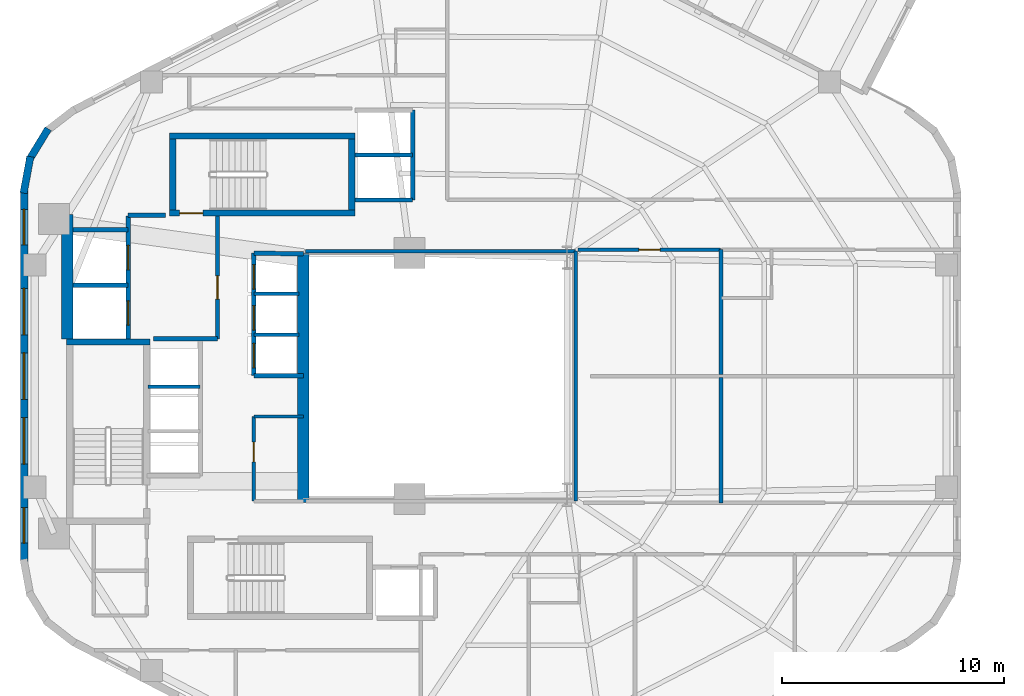
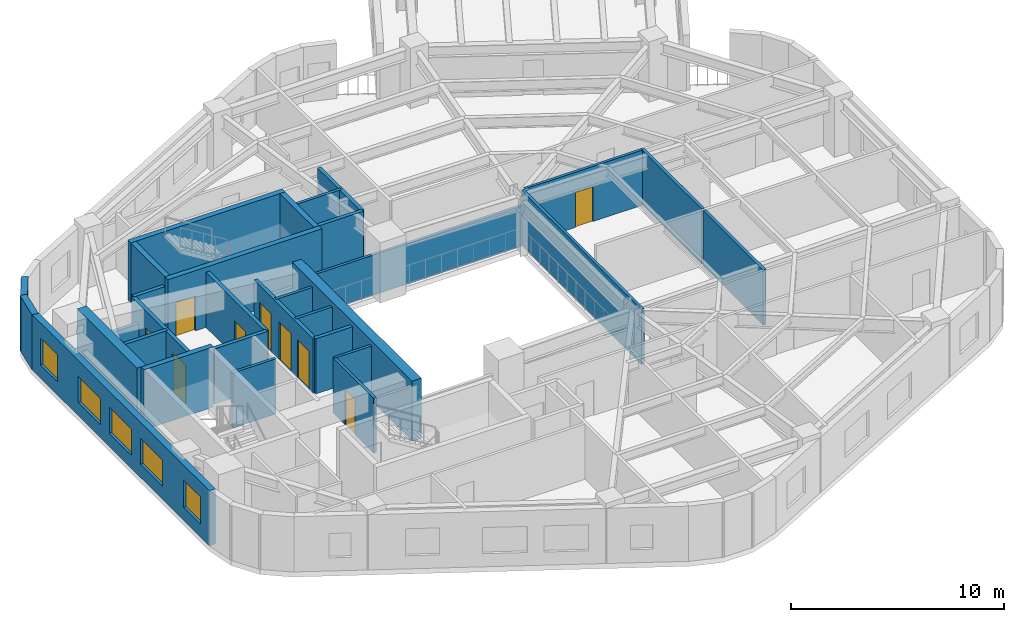
# One storey, part 6 of 10: 32 walls, 9 doors, 5 windows, 14 openings.
"""IFC4 building model written with IfcOpenShell, lengths in metres."""

import ifcopenshell
import ifcopenshell.guid

model = None  # the IFC model being written
_history = None  # IfcOwnerHistory: only IFC2X3 demands one
_inside = {}  # id of a spatial element -> (the spatial element, [elements in it])
_under = {}  # id of a project, library or spatial element -> (it, [spatial elements below it])
_declared = {}  # id of a project -> (the project, [libraries it declares])
_typed = {}  # id of a type object -> (the type object, [elements of that type])
_made_of = {}  # id of a material, layer set ... -> (it, [elements and type objects made of it])


def new_model(schema):
    """Start an empty IFC model of exactly this schema.

    Asked for "IFC4X3", IfcOpenShell would pick the latest addendum, in which some entities
    have other attributes; the version numbers below select the first issue.
    IFC2X3 requires an IfcOwnerHistory on every rooted entity: one is made here for all.
    """
    global model, _history
    if schema == "IFC4X3":
        model = ifcopenshell.file(schema_version=(4, 3, 0, 0))
    else:
        model = ifcopenshell.file(schema=schema)
    _inside.clear()
    _under.clear()
    _declared.clear()
    _typed.clear()
    _made_of.clear()
    _history = None
    if model.schema == "IFC2X3":
        org = make("IfcOrganization", Name="unknown")
        user = make(
            "IfcPersonAndOrganization",
            ThePerson=make("IfcPerson", FamilyName="unknown"),
            TheOrganization=org,
        )
        app = make(
            "IfcApplication",
            ApplicationDeveloper=org,
            Version="unknown",
            ApplicationFullName="unknown",
            ApplicationIdentifier="unknown",
        )
        _history = make(
            "IfcOwnerHistory",
            OwningUser=user,
            OwningApplication=app,
            ChangeAction="ADDED",
            CreationDate=0,
        )
    return model


def make(cls, **values):
    """One entity of the class cls with the attributes given. An attribute that is None is left unset."""
    return model.create_entity(
        cls, **{name: value for name, value in values.items() if value is not None}
    )


def rooted(cls, **values):
    """An entity with a GlobalId (a new one), such as an element, a storey or a relation."""
    return make(cls, GlobalId=ifcopenshell.guid.new(), OwnerHistory=_history, **values)


def si_unit(unit_type, name, prefix=None):
    """IfcSIUnit, for example si_unit("LENGTHUNIT", "METRE", prefix="MILLI")."""
    return make("IfcSIUnit", UnitType=unit_type, Prefix=prefix, Name=name)


def assignment(units):
    """IfcUnitAssignment: the units of a project."""
    return None if units is None else make("IfcUnitAssignment", Units=units)


def point(xyz):
    """IfcCartesianPoint."""
    return None if xyz is None else make("IfcCartesianPoint", Coordinates=xyz)


def direction(xyz):
    """IfcDirection."""
    return None if xyz is None else make("IfcDirection", DirectionRatios=xyz)


def frame(location, z_axis=None, x_axis=None):
    """IfcAxis2Placement3D, a coordinate frame: its origin and axes. An axis left out is left unset."""
    return make(
        "IfcAxis2Placement3D",
        Location=point(location),
        Axis=direction(z_axis),
        RefDirection=direction(x_axis),
    )


def frame_2d(location, x_axis=None):
    """IfcAxis2Placement2D, a coordinate frame in the plane: its origin and x axis."""
    return make(
        "IfcAxis2Placement2D", Location=point(location), RefDirection=direction(x_axis)
    )


def origin():
    """The frame at (0, 0, 0) with its axes left unset."""
    return frame((0.0, 0.0, 0.0))


def place(relative_to, where):
    """IfcLocalPlacement: puts the frame where relative to a parent placement (None: the world)."""
    return make(
        "IfcLocalPlacement", PlacementRelTo=relative_to, RelativePlacement=where
    )


def context(
    kind, dimensions, precision=None, world=None, true_north=None, identifier=None
):
    """IfcGeometricRepresentationContext, for example the 3D "Model" context."""
    return make(
        "IfcGeometricRepresentationContext",
        ContextIdentifier=identifier,
        ContextType=kind,
        CoordinateSpaceDimension=dimensions,
        Precision=precision,
        WorldCoordinateSystem=world,
        TrueNorth=true_north,
    )


def subcontext(parent, identifier, kind, view, scale=None):
    """IfcGeometricRepresentationSubContext, for example "Body" below "Model"."""
    return make(
        "IfcGeometricRepresentationSubContext",
        ContextIdentifier=identifier,
        ContextType=kind,
        ParentContext=parent,
        TargetScale=scale,
        TargetView=view,
    )


def project(units=None, contexts=None):
    """IfcProject with its units and contexts."""
    return rooted(
        "IfcProject",
        Name="project",
        RepresentationContexts=contexts,
        UnitsInContext=assignment(units),
    )


def spatial(cls, under=None, at=None, **own):
    """A site, building, storey or space (cls), placed at a placement, below another one or the project."""
    s = rooted(cls, ObjectPlacement=at, **own)
    if under is not None:
        _under.setdefault(under.id(), (under, []))[1].append(s)
    return s


def profile(cls, at=None, kind="AREA", **sizes):
    """A parametric profile (cls). Its sizes go by their IFC names, for example OverallWidth=200.0."""
    return make(cls, ProfileType=kind, Position=at, **sizes)


def rectangle(**sizes):
    """IfcRectangleProfileDef."""
    return profile("IfcRectangleProfileDef", **sizes)


def extrude(swept, where, along, depth):
    """IfcExtrudedAreaSolid: the profile swept, set in the frame where, extruded along a direction by depth."""
    return make(
        "IfcExtrudedAreaSolid",
        SweptArea=swept,
        Position=where,
        ExtrudedDirection=direction(along),
        Depth=depth,
    )


def shape(context_of_items, identifier, shape_type, items):
    """IfcShapeRepresentation: the items that make up one representation, for example the "Body"."""
    return make(
        "IfcShapeRepresentation",
        ContextOfItems=context_of_items,
        RepresentationIdentifier=identifier,
        RepresentationType=shape_type,
        Items=items,
    )


def material(Name=None, Category=None):
    """IfcMaterial."""
    return make("IfcMaterial", Name=Name, Category=Category)


def layer(
    of_material, thickness, ventilated=None, Name=None, Category=None, Priority=None
):
    """IfcMaterialLayer: one layer of a wall or slab, of a material (None: an air gap)."""
    return make(
        "IfcMaterialLayer",
        Material=of_material,
        LayerThickness=thickness,
        IsVentilated=ventilated,
        Name=Name,
        Category=Category,
        Priority=Priority,
    )


def layer_set(layers, Name=None):
    """IfcMaterialLayerSet."""
    return make("IfcMaterialLayerSet", MaterialLayers=layers, LayerSetName=Name)


def made_of(thing, what):
    """Note that an element or type object is made of a material, layer set ...; save() writes the relation."""
    if what is not None:
        _made_of.setdefault(what.id(), (what, []))[1].append(thing)
    return thing


def type_object(cls, material=None, **own):
    """A type object (cls), such as IfcWallType, which elements share."""
    return made_of(rooted(cls, **own), material)


def element(
    cls,
    number,
    at=None,
    inside=None,
    cuts=None,
    type_object=None,
    material=None,
    context=None,
    identifier="Body",
    shape_type=None,
    held_by="IfcProductDefinitionShape",
    body=None,
    shapes=None,
    **own,
):
    """One element of the class cls, such as IfcWall. Its Tag is "e" and its number.

    at: its placement. inside: the storey or other place that contains it. cuts: it is an
    opening in that element (IfcRelVoidsElement). A single representation is given by context,
    identifier, shape_type and body (its items); several are given by shapes. held_by: the class
    of the entity that holds the representations. save() writes the other relations.
    """
    e = rooted(cls, Tag="e%d" % number, ObjectPlacement=at, **own)
    if body is not None:
        shapes = [shape(context, identifier, shape_type, body)]
    if shapes is not None:
        e.Representation = make(held_by, Representations=shapes)
    if inside is not None:
        _inside.setdefault(inside.id(), (inside, []))[1].append(e)
    if cuts is not None:
        rooted(
            "IfcRelVoidsElement", RelatingBuildingElement=cuts, RelatedOpeningElement=e
        )
    if type_object is not None:
        _typed.setdefault(type_object.id(), (type_object, []))[1].append(e)
    return made_of(e, material)


def fill(opening, filler):
    """IfcRelFillsElement: the door or window that sits in an opening."""
    return rooted(
        "IfcRelFillsElement",
        RelatingOpeningElement=opening,
        RelatedBuildingElement=filler,
    )


def aggregate(whole, parts):
    """IfcRelAggregates: a whole, such as a stair, and the parts it consists of."""
    return rooted("IfcRelAggregates", RelatingObject=whole, RelatedObjects=parts)


def save(model, path):
    """Write the relations noted so far, then the file.

    IfcRelAggregates (storeys below a building ...), IfcRelContainedInSpatialStructure (elements
    in a storey), IfcRelDefinesByType, IfcRelAssociatesMaterial and IfcRelDeclares: one each for
    every whole, place, type object, material and project.
    """
    for whole, parts in _under.values():
        aggregate(whole, parts)
    for where, things in _inside.values():
        rooted(
            "IfcRelContainedInSpatialStructure",
            RelatedElements=things,
            RelatingStructure=where,
        )
    for kind, things in _typed.values():
        rooted("IfcRelDefinesByType", RelatedObjects=things, RelatingType=kind)
    for what, things in _made_of.values():
        rooted("IfcRelAssociatesMaterial", RelatedObjects=things, RelatingMaterial=what)
    for by, libraries in _declared.values():
        rooted("IfcRelDeclares", RelatingContext=by, RelatedDefinitions=libraries)
    model.write(path)


model = new_model("IFC4")

# Units and contexts
model_context = context("Model", 3, precision=1e-05, world=origin(), true_north=direction((0.0, 1.0)))
body_context = subcontext(model_context, "Body", "Model", "MODEL_VIEW")
ifc_project = project(units=[si_unit("LENGTHUNIT", "METRE"), si_unit("AREAUNIT", "SQUARE_METRE"), si_unit("VOLUMEUNIT", "CUBIC_METRE"), si_unit("PLANEANGLEUNIT", "RADIAN"), si_unit("MASSUNIT", "GRAM", prefix="KILO"), si_unit("THERMODYNAMICTEMPERATUREUNIT", "KELVIN"), si_unit("POWERUNIT", "WATT")], contexts=[model_context])

# Site, building, storey
site_placement = place(None, origin())
site = spatial("IfcSite", under=ifc_project, at=site_placement, CompositionType="ELEMENT")
building_placement = place(site_placement, origin())
building = spatial("IfcBuilding", under=site, at=building_placement, Name="Skarre Station Tower", CompositionType="ELEMENT")
storey_placement = place(building_placement, frame((0.0, 0.0, 111.89990234375)))
storey = spatial("IfcBuildingStorey", under=building, at=storey_placement, Name="L29", CompositionType="ELEMENT", Elevation=111.89990234375)

# Wall, opening, door
ifc_material_1 = material(Name="Acoustic Steel-Stud Gypsum Partition", Category="steel")
ifc_layer_1 = layer(ifc_material_1, 0.14990234375, Name="Acoustic Steel-Stud Gypsum Partition")
ifc_layer_set_1 = layer_set([ifc_layer_1], Name="Acoustic Steel-Stud Gypsum Partition")
wall_type_1 = type_object("IfcWallType", Name="Fire-Rated Corridor Acoustic Partition 150", PredefinedType="PARTITIONING", material=ifc_layer_set_1)
wall_1_placement = place(storey_placement, frame((25.320068359375, 22.179931640625, 0.0), z_axis=(0.0, 0.0, 1.0), x_axis=(0.0, -1.0, 0.0)))
wall_1 = element("IfcWall", 1, at=wall_1_placement, inside=storey, type_object=wall_type_1, Name="L29 Interior Partition WL-PT-L29-RC1-W", PredefinedType="PARTITIONING", context=body_context, shape_type="SweptSolid", body=[
    extrude(rectangle(XDim=3.81982421875, YDim=0.14990234375, at=frame_2d((1.909912109375, 0.0))), origin(), (0.0, 0.0, 1.0), 3.16015625),
])
opening_1_placement = place(wall_1_placement, frame((1.14990234375, 0.0, 0.0)))
opening_1 = element("IfcOpeningElement", 2, at=opening_1_placement, cuts=wall_1, Name="Opening DR-SVC90", PredefinedType="OPENING", context=body_context, shape_type="SweptSolid", body=[
    extrude(rectangle(XDim=0.89990234375, YDim=2.0, at=frame_2d((0.449951171875, 1.0))), frame((0.0, 0.0849609375, 0.0), z_axis=(0.0, -1.0, 0.0), x_axis=(1.0, 0.0, 0.0)), (0.0, 0.0, 1.0), 0.169921875),
])
ifc_material_2 = material(Name="Powder-Coated Hollow-Metal Acoustic Fire Leaf", Category="steel")
door_type_1 = type_object("IfcDoorType", Name="Service & Riser Fire Door FD60 900x2100", OperationType="SINGLE_SWING_LEFT", PredefinedType="DOOR", material=ifc_material_2)
door_1_placement = place(opening_1_placement, origin())
door_1 = element("IfcDoor", 3, at=door_1_placement, inside=storey, type_object=door_type_1, Name="L29 Staff Pantry Door", OperationType="SINGLE_SWING_LEFT", OverallHeight=2.0, OverallWidth=0.89990234375, PredefinedType="DOOR", context=body_context, shape_type="SweptSolid", body=[
    extrude(rectangle(XDim=0.89990234375, YDim=2.0, at=frame_2d((0.449951171875, 1.0))), frame((0.0, 0.02490234375, 0.0), z_axis=(0.0, -1.0, 0.0), x_axis=(1.0, 0.0, 0.0)), (0.0, 0.0, 1.0), 0.050048828125),
])
fill(opening_1, door_1)

# Walls
wall_2_placement = place(storey_placement, frame((25.320068359375, 22.179931640625, 0.0), z_axis=(0.0, 0.0, 1.0), x_axis=(1.0, 0.0, 0.0)))
element("IfcWall", 4, at=wall_2_placement, inside=storey, type_object=wall_type_1, Name="L29 Interior Partition WL-PT-L29-RC1-N2", PredefinedType="PARTITIONING", context=body_context, shape_type="SweptSolid", body=[
    extrude(rectangle(XDim=2.22998046875, YDim=0.14990234375, at=frame_2d((1.114990234375, 0.0))), origin(), (0.0, 0.0, 1.0), 3.16015625),
])
wall_3_placement = place(storey_placement, frame((39.840087890625, 29.639892578125, 0.0), z_axis=(0.0, 0.0, 1.0), x_axis=(-1.0, 0.0, 0.0)))
element("IfcWall", 5, at=wall_3_placement, inside=storey, type_object=wall_type_1, Name="L29 Interior Partition WL-PT-L29-ATRW-N", PredefinedType="PARTITIONING", context=body_context, shape_type="SweptSolid", body=[
    extrude(rectangle(XDim=12.2001953125, YDim=0.14990234375, at=frame_2d((6.10009765625, 0.0))), origin(), (0.0, 0.0, 1.0), 2.301025390625),
])
wall_4_placement = place(storey_placement, frame((39.840087890625, 18.360107421875, 0.0), z_axis=(0.0, 0.0, 1.0), x_axis=(0.0, 1.0, 0.0)))
element("IfcWall", 6, at=wall_4_placement, inside=storey, type_object=wall_type_1, Name="L29 Interior Partition WL-PT-L29-ATRW-E", PredefinedType="PARTITIONING", context=body_context, shape_type="SweptSolid", body=[
    extrude(rectangle(XDim=11.27978515625, YDim=0.14990234375, at=frame_2d((5.639892578125, 0.0))), origin(), (0.0, 0.0, 1.0), 3.16015625),
])

# Wall, opening, door
wall_5_placement = place(storey_placement, frame((39.949951171875, 29.7099609375, 0.0), z_axis=(0.0, 0.0, 1.0), x_axis=(1.0, 0.0, 0.0)))
wall_5 = element("IfcWall", 7, at=wall_5_placement, inside=storey, type_object=wall_type_1, Name="L29 Interior Partition WL-PT-L29-EWN1-CW", PredefinedType="PARTITIONING", context=body_context, shape_type="SweptSolid", body=[
    extrude(rectangle(XDim=6.43310546875, YDim=0.14990234375, at=frame_2d((3.216552734375, 0.0))), origin(), (0.0, 0.0, 1.0), 3.16015625),
])
opening_2_placement = place(wall_5_placement, frame((2.736083984375, 0.0, 0.0)))
opening_2 = element("IfcOpeningElement", 8, at=opening_2_placement, cuts=wall_5, Name="Opening DR-FD60", PredefinedType="OPENING", context=body_context, shape_type="SweptSolid", body=[
    extrude(rectangle(XDim=0.9599609375, YDim=2.0, at=frame_2d((0.47998046875, 1.0))), frame((0.0, 0.0849609375, 0.0), z_axis=(0.0, -1.0, 0.0), x_axis=(1.0, 0.0, 0.0)), (0.0, 0.0, 1.0), 0.169921875),
])
ifc_material_3 = material(Name="Nordic White-Oak Veneer Solid-Core Fire Leaf", Category="wood")
door_type_2 = type_object("IfcDoorType", Name="Corridor Suite Entry Fire Door FD60 960x2150", OperationType="SINGLE_SWING_LEFT", PredefinedType="DOOR", material=ifc_material_3)
door_2_placement = place(opening_2_placement, origin())
door_2 = element("IfcDoor", 9, at=door_2_placement, inside=storey, type_object=door_type_2, Name="L29 EWN1 Entry Door", OperationType="SINGLE_SWING_LEFT", OverallHeight=2.0, OverallWidth=0.9599609375, PredefinedType="DOOR", context=body_context, shape_type="SweptSolid", body=[
    extrude(rectangle(XDim=0.9599609375, YDim=2.0, at=frame_2d((0.47998046875, 1.0))), frame((0.0, 0.02490234375, 0.0), z_axis=(0.0, -1.0, 0.0), x_axis=(1.0, 0.0, 0.0)), (0.0, 0.0, 1.0), 0.050048828125),
])
fill(opening_2, door_2)

# Wall, openings, windows
ifc_material_4 = material(Name="Precast concrete C45/55", Category="concrete")
ifc_layer_2 = layer(ifc_material_4, 0.340087890625, Name="Precast concrete C45/55")
ifc_layer_set_2 = layer_set([ifc_layer_2], Name="Precast concrete C45/55")
wall_type_2 = type_object("IfcWallType", Name="Nordic Honed Precast Facet Wall 340", PredefinedType="STANDARD", material=ifc_layer_set_2)
wall_6_placement = place(storey_placement, frame((14.951904296875, 15.64794921875, 0.0), z_axis=(0.0, 0.0, 1.0), x_axis=(0.0, 1.0, 0.0)))
wall_6 = element("IfcWall", 10, at=wall_6_placement, inside=storey, type_object=wall_type_2, Name="L29 Facet 2 Nordic Precast Masonry Wall", PredefinedType="STANDARD", context=body_context, shape_type="SweptSolid", body=[
    extrude(rectangle(XDim=16.7041015625, YDim=0.340087890625, at=frame_2d((8.35205078125, 0.0))), origin(), (0.0, 0.0, 1.0), 3.16015625),
])
opening_3_placement = place(wall_6_placement, frame((0.825927734375, 0.0, 0.75)))
opening_3 = element("IfcOpeningElement", 11, at=opening_3_placement, cuts=wall_6, Name="Opening WN-Z2A", PredefinedType="OPENING", context=body_context, shape_type="SweptSolid", body=[
    extrude(rectangle(XDim=1.60009765625, YDim=1.550048828125, at=frame_2d((0.800048828125, 0.77490234375))), frame((0.0, 0.179931640625, 0.0), z_axis=(0.0, -1.0, 0.0), x_axis=(1.0, 0.0, 0.0)), (0.0, 0.0, 1.0), 0.360107421875),
])
opening_4_placement = place(wall_6_placement, frame((4.387939453125, 0.0, 0.75)))
opening_4 = element("IfcOpeningElement", 12, at=opening_4_placement, cuts=wall_6, Name="Opening WN-Z2B", PredefinedType="OPENING", context=body_context, shape_type="SweptSolid", body=[
    extrude(rectangle(XDim=2.10009765625, YDim=1.5, at=frame_2d((1.050048828125, 0.75))), frame((0.0, 0.179931640625, 0.0), z_axis=(0.0, -1.0, 0.0), x_axis=(1.0, 0.0, 0.0)), (0.0, 0.0, 1.0), 0.360107421875),
])
opening_5_placement = place(wall_6_placement, frame((7.302001953125, 0.0, 0.75)))
opening_5 = element("IfcOpeningElement", 13, at=opening_5_placement, cuts=wall_6, Name="Opening WN-Z2B", PredefinedType="OPENING", context=body_context, shape_type="SweptSolid", body=[
    extrude(rectangle(XDim=2.10009765625, YDim=1.5, at=frame_2d((1.050048828125, 0.75))), frame((0.0, 0.179931640625, 0.0), z_axis=(0.0, -1.0, 0.0), x_axis=(1.0, 0.0, 0.0)), (0.0, 0.0, 1.0), 0.360107421875),
])
opening_6_placement = place(wall_6_placement, frame((10.216064453125, 0.0, 0.75)))
opening_6 = element("IfcOpeningElement", 14, at=opening_6_placement, cuts=wall_6, Name="Opening WN-Z2B", PredefinedType="OPENING", context=body_context, shape_type="SweptSolid", body=[
    extrude(rectangle(XDim=2.10009765625, YDim=1.5, at=frame_2d((1.050048828125, 0.75))), frame((0.0, 0.179931640625, 0.0), z_axis=(0.0, -1.0, 0.0), x_axis=(1.0, 0.0, 0.0)), (0.0, 0.0, 1.0), 0.360107421875),
])
opening_7_placement = place(wall_6_placement, frame((14.278076171875, 0.0, 0.75)))
opening_7 = element("IfcOpeningElement", 15, at=opening_7_placement, cuts=wall_6, Name="Opening WN-Z2A", PredefinedType="OPENING", context=body_context, shape_type="SweptSolid", body=[
    extrude(rectangle(XDim=1.60009765625, YDim=1.550048828125, at=frame_2d((0.800048828125, 0.77490234375))), frame((0.0, 0.179931640625, 0.0), z_axis=(0.0, -1.0, 0.0), x_axis=(1.0, 0.0, 0.0)), (0.0, 0.0, 1.0), 0.360107421875),
])
ifc_material_5 = material(Name="Low-Iron Triple Glazing with Bronze Anodized Frame", Category="glass")
window_type_1 = type_object("IfcWindowType", Name="Nordic Residential Tall Window 1600x1550", PartitioningType="SINGLE_PANEL", PredefinedType="WINDOW", material=ifc_material_5)
window_1_placement = place(opening_3_placement, origin())
window_1 = element("IfcWindow", 16, at=window_1_placement, inside=storey, type_object=window_type_1, Name="L29 Facade Window WL-FAC-L29-F2-1", OverallHeight=1.550048828125, OverallWidth=1.60009765625, PartitioningType="SINGLE_PANEL", PredefinedType="WINDOW", context=body_context, shape_type="SweptSolid", body=[
    extrude(rectangle(XDim=1.60009765625, YDim=1.550048828125, at=frame_2d((0.800048828125, 0.77490234375))), frame((0.0, 0.030029296875, 0.0), z_axis=(0.0, -1.0, 0.0), x_axis=(1.0, 0.0, 0.0)), (0.0, 0.0, 1.0), 0.06005859375),
])
fill(opening_3, window_1)
window_2_placement = place(opening_7_placement, origin())
window_2 = element("IfcWindow", 17, at=window_2_placement, inside=storey, type_object=window_type_1, Name="L29 Facade Window WL-FAC-L29-F2-5", OverallHeight=1.550048828125, OverallWidth=1.60009765625, PartitioningType="SINGLE_PANEL", PredefinedType="WINDOW", context=body_context, shape_type="SweptSolid", body=[
    extrude(rectangle(XDim=1.60009765625, YDim=1.550048828125, at=frame_2d((0.800048828125, 0.77490234375))), frame((0.0, 0.030029296875, 0.0), z_axis=(0.0, -1.0, 0.0), x_axis=(1.0, 0.0, 0.0)), (0.0, 0.0, 1.0), 0.06005859375),
])
fill(opening_7, window_2)
window_type_2 = type_object("IfcWindowType", Name="Nordic Residential Twin Window 2100x1500", PartitioningType="SINGLE_PANEL", PredefinedType="WINDOW", material=ifc_material_5)
window_3_placement = place(opening_4_placement, origin())
window_3 = element("IfcWindow", 18, at=window_3_placement, inside=storey, type_object=window_type_2, Name="L29 Facade Window WL-FAC-L29-F2-2", OverallHeight=1.5, OverallWidth=2.10009765625, PartitioningType="SINGLE_PANEL", PredefinedType="WINDOW", context=body_context, shape_type="SweptSolid", body=[
    extrude(rectangle(XDim=2.10009765625, YDim=1.5, at=frame_2d((1.050048828125, 0.75))), frame((0.0, 0.030029296875, 0.0), z_axis=(0.0, -1.0, 0.0), x_axis=(1.0, 0.0, 0.0)), (0.0, 0.0, 1.0), 0.06005859375),
])
fill(opening_4, window_3)
window_4_placement = place(opening_5_placement, origin())
window_4 = element("IfcWindow", 19, at=window_4_placement, inside=storey, type_object=window_type_2, Name="L29 Facade Window WL-FAC-L29-F2-3", OverallHeight=1.5, OverallWidth=2.10009765625, PartitioningType="SINGLE_PANEL", PredefinedType="WINDOW", context=body_context, shape_type="SweptSolid", body=[
    extrude(rectangle(XDim=2.10009765625, YDim=1.5, at=frame_2d((1.050048828125, 0.75))), frame((0.0, 0.030029296875, 0.0), z_axis=(0.0, -1.0, 0.0), x_axis=(1.0, 0.0, 0.0)), (0.0, 0.0, 1.0), 0.06005859375),
])
fill(opening_5, window_4)
window_5_placement = place(opening_6_placement, origin())
window_5 = element("IfcWindow", 20, at=window_5_placement, inside=storey, type_object=window_type_2, Name="L29 Facade Window WL-FAC-L29-F2-4", OverallHeight=1.5, OverallWidth=2.10009765625, PartitioningType="SINGLE_PANEL", PredefinedType="WINDOW", context=body_context, shape_type="SweptSolid", body=[
    extrude(rectangle(XDim=2.10009765625, YDim=1.5, at=frame_2d((1.050048828125, 0.75))), frame((0.0, 0.030029296875, 0.0), z_axis=(0.0, -1.0, 0.0), x_axis=(1.0, 0.0, 0.0)), (0.0, 0.0, 1.0), 0.06005859375),
])
fill(opening_6, window_5)

# Walls
ifc_layer_3 = layer(ifc_material_4, 0.330078125, Name="Precast concrete C45/55")
ifc_layer_set_3 = layer_set([ifc_layer_3], Name="Precast concrete C45/55")
wall_type_3 = type_object("IfcWallType", Name="Nordic Rounded Corner Precast Wall 330", PredefinedType="STANDARD", material=ifc_layer_set_3)
wall_7_placement = place(storey_placement, frame((14.931884765625, 32.258056640625, 0.0), z_axis=(0.0, 0.0, 1.0), x_axis=(0.181984991895, 0.983301308209, 0.0)))
element("IfcWall", 21, at=wall_7_placement, inside=storey, type_object=wall_type_3, Name="L29 Rounded Corner Precast Wall F2-1", PredefinedType="STANDARD", context=body_context, shape_type="SweptSolid", body=[
    extrude(rectangle(XDim=1.677001953125, YDim=0.330078125, at=frame_2d((0.83837890625, 0.0))), origin(), (0.0, 0.0, 1.0), 3.16015625),
])
wall_8_placement = place(storey_placement, frame((15.169921875, 33.73193359375, 0.0), z_axis=(0.0, 0.0, 1.0), x_axis=(0.520519429557, 0.853849824883, 0.0)))
element("IfcWall", 22, at=wall_8_placement, inside=storey, type_object=wall_type_3, Name="L29 Rounded Corner Precast Wall F2-2", PredefinedType="STANDARD", context=body_context, shape_type="SweptSolid", body=[
    extrude(rectangle(XDim=1.67724609375, YDim=0.330078125, at=frame_2d((0.838623046875, 0.0))), origin(), (0.0, 0.0, 1.0), 3.16015625),
])
ifc_material_6 = material(Name="Concrete C50/60", Category="concrete")
ifc_layer_4 = layer(ifc_material_6, 0.280029296875, Name="Concrete C50/60")
ifc_layer_set_4 = layer_set([ifc_layer_4], Name="Concrete C50/60")
wall_type_4 = type_object("IfcWallType", Name="RC Core Shear Wall 280", PredefinedType="SHEAR", material=ifc_layer_set_4)
wall_9_placement = place(storey_placement, frame((20.6298828125, 25.5400390625, 0.0), z_axis=(0.0, 0.0, 1.0), x_axis=(-1.0, 0.0, 0.0)))
element("IfcWall", 23, at=wall_9_placement, inside=storey, type_object=wall_type_4, Name="L29 Stair ST-1 North Shear Wall", PredefinedType="SHEAR", context=body_context, shape_type="SweptSolid", body=[
    extrude(rectangle(XDim=3.759765625, YDim=0.280029296875, at=frame_2d((1.8798828125, 0.0))), origin(), (0.0, 0.0, 1.0), 3.4501953125),
])

# Wall, opening, door
wall_10_placement = place(storey_placement, frame((21.52001953125, 31.360107421875, 0.0), z_axis=(0.0, 0.0, 1.0), x_axis=(1.0, 0.0, 0.0)))
wall_10 = element("IfcWall", 24, at=wall_10_placement, inside=storey, type_object=wall_type_4, Name="L29 Stair ST-3 South Shear Wall", PredefinedType="SHEAR", context=body_context, shape_type="SweptSolid", body=[
    extrude(rectangle(XDim=8.35986328125, YDim=0.280029296875, at=frame_2d((4.179931640625, 0.0))), origin(), (0.0, 0.0, 1.0), 3.4501953125),
])
opening_8_placement = place(wall_10_placement, frame((0.449951171875, 0.0, 0.0)))
opening_8 = element("IfcOpeningElement", 25, at=opening_8_placement, cuts=wall_10, Name="Opening DR-FD90", PredefinedType="OPENING", context=body_context, shape_type="SweptSolid", body=[
    extrude(rectangle(XDim=1.050048828125, YDim=2.0, at=frame_2d((0.52490234375, 1.0))), frame((0.0, 0.14990234375, 0.0), z_axis=(0.0, -1.0, 0.0), x_axis=(1.0, 0.0, 0.0)), (0.0, 0.0, 1.0), 0.300048828125),
])
ifc_material_7 = material(Name="Fire-Rated Insulated Steel Frame & Timber Core Leaf", Category="steel")
door_type_3 = type_object("IfcDoorType", Name="Stair & FSAE Lobby Fire Door FD90 1050x2150", OperationType="SINGLE_SWING_RIGHT", PredefinedType="DOOR", material=ifc_material_7)
door_3_placement = place(opening_8_placement, origin())
door_3 = element("IfcDoor", 26, at=door_3_placement, inside=storey, type_object=door_type_3, Name="L29 Stair ST-3 & FSAE Lobby Direct Exit Door", OperationType="SINGLE_SWING_LEFT", OverallHeight=2.0, OverallWidth=1.050048828125, PredefinedType="DOOR", context=body_context, shape_type="SweptSolid", body=[
    extrude(rectangle(XDim=1.050048828125, YDim=2.0, at=frame_2d((0.52490234375, 1.0))), frame((0.0, 0.02490234375, 0.0), z_axis=(0.0, -1.0, 0.0), x_axis=(1.0, 0.0, 0.0)), (0.0, 0.0, 1.0), 0.050048828125),
])
fill(opening_8, door_3)

# Walls
wall_11_placement = place(storey_placement, frame((29.8798828125, 34.840087890625, 0.0), z_axis=(0.0, 0.0, 1.0), x_axis=(-1.0, 0.0, 0.0)))
element("IfcWall", 27, at=wall_11_placement, inside=storey, type_object=wall_type_4, Name="L29 Stair ST-3 North Shear Wall", PredefinedType="SHEAR", context=body_context, shape_type="SweptSolid", body=[
    extrude(rectangle(XDim=8.35986328125, YDim=0.280029296875, at=frame_2d((4.179931640625, 0.0))), origin(), (0.0, 0.0, 1.0), 3.4501953125),
])
for number, where, z_axis, x_axis, name in (
    (28, (21.659912109375, 34.699951171875, 0.0), (0.0, 0.0, 1.0), (0.0, -1.0, 0.0), "L29 Stair ST-3 West Shear Wall"),
    (29, (29.739990234375, 31.5, 0.0), (0.0, 0.0, 1.0), (0.0, 1.0, 0.0), "L29 Stair ST-3 East Shear Wall"),
):
    element("IfcWall", number, at=place(storey_placement, frame(where, z_axis=z_axis, x_axis=x_axis)), inside=storey, type_object=wall_type_4, Name=name, PredefinedType="SHEAR", context=body_context, shape_type="SweptSolid", body=[
        extrude(rectangle(XDim=3.199951171875, YDim=0.280029296875, at=frame_2d((1.60009765625, 0.0))), origin(), (0.0, 0.0, 1.0), 3.4501953125),
    ])
ifc_material_8 = material(Name="Concrete C70/85", Category="concrete")
ifc_layer_5 = layer(ifc_material_8, 0.5, Name="Concrete C70/85")
ifc_layer_set_5 = layer_set([ifc_layer_5], Name="Concrete C70/85")
wall_type_5 = type_object("IfcWallType", Name="RC Core Shear Wall 500", PredefinedType="SHEAR", material=ifc_layer_set_5)
wall_12_placement = place(storey_placement, frame((16.89990234375, 25.679931640625, 0.0), z_axis=(0.0, 0.0, 1.0), x_axis=(0.0, 1.0, 0.0)))
element("IfcWall", 30, at=wall_12_placement, inside=storey, type_object=wall_type_5, Name="L29 Core West-North Shear Wall", PredefinedType="SHEAR", context=body_context, shape_type="SweptSolid", body=[
    extrude(rectangle(XDim=5.6201171875, YDim=0.5, at=frame_2d((2.81005859375, 0.0))), origin(), (0.0, 0.0, 1.0), 3.4501953125),
])
wall_13_placement = place(storey_placement, frame((27.550048828125, 29.550048828125, 0.0), z_axis=(0.0, 0.0, 1.0), x_axis=(0.0, -1.0, 0.0)))
element("IfcWall", 31, at=wall_13_placement, inside=storey, type_object=wall_type_5, Name="L29 Core East Atrium Shear Wall", PredefinedType="SHEAR", context=body_context, shape_type="SweptSolid", body=[
    extrude(rectangle(XDim=11.25, YDim=0.5, at=frame_2d((5.625, 0.0))), origin(), (0.0, 0.0, 1.0), 3.4501953125),
])

# Wall, openings, doors
ifc_material_9 = material(Name="Gypsum Concrete Shaft Assembly C30/37", Category="concrete")
ifc_layer_6 = layer(ifc_material_9, 0.199951171875, Name="Gypsum Concrete Shaft Assembly C30/37")
ifc_layer_set_6 = layer_set([ifc_layer_6], Name="Gypsum Concrete Shaft Assembly C30/37")
wall_type_6 = type_object("IfcWallType", Name="Shaft & Core Fire Partition 200", PredefinedType="PARTITIONING", material=ifc_layer_set_6)
wall_14_placement = place(storey_placement, frame((19.64990234375, 25.679931640625, 0.0), z_axis=(0.0, 0.0, 1.0), x_axis=(0.0, 1.0, 0.0)))
wall_14 = element("IfcWall", 32, at=wall_14_placement, inside=storey, type_object=wall_type_6, Name="L29 Interior Partition WL-PT-L29-FSAE-W", PredefinedType="PARTITIONING", context=body_context, shape_type="SweptSolid", body=[
    extrude(rectangle(XDim=5.5400390625, YDim=0.199951171875, at=frame_2d((2.77001953125, 0.0))), origin(), (0.0, 0.0, 1.0), 3.16015625),
])
opening_9_placement = place(wall_14_placement, frame((0.6201171875, 0.0, 0.0)))
opening_9 = element("IfcOpeningElement", 33, at=opening_9_placement, cuts=wall_14, Name="Opening LD-FF1", PredefinedType="OPENING", context=body_context, shape_type="SweptSolid", body=[
    extrude(rectangle(XDim=1.10009765625, YDim=2.199951171875, at=frame_2d((0.550048828125, 1.10009765625))), frame((0.0, 0.10986328125, 0.0), z_axis=(0.0, -1.0, 0.0), x_axis=(1.0, 0.0, 0.0)), (0.0, 0.0, 1.0), 0.219970703125),
])
opening_10_placement = place(wall_14_placement, frame((3.1201171875, 0.0, 0.0)))
opening_10 = element("IfcOpeningElement", 34, at=opening_10_placement, cuts=wall_14, Name="Opening LD-FF2", PredefinedType="OPENING", context=body_context, shape_type="SweptSolid", body=[
    extrude(rectangle(XDim=1.10009765625, YDim=2.199951171875, at=frame_2d((0.550048828125, 1.10009765625))), frame((0.0, 0.10986328125, 0.0), z_axis=(0.0, -1.0, 0.0), x_axis=(1.0, 0.0, 0.0)), (0.0, 0.0, 1.0), 0.219970703125),
])
ifc_material_10 = material(Name="Fire-Rated Stainless Steel Grade 316L Sliding Leaves", Category="steel")
door_type_4 = type_object("IfcDoorType", Name="Fire Service Access Elevator Sliding Landing Door 1100x2200", OperationType="SLIDING_TO_LEFT", PredefinedType="DOOR", material=ifc_material_10)
door_4_placement = place(opening_9_placement, origin())
door_4 = element("IfcDoor", 35, at=door_4_placement, inside=storey, type_object=door_type_4, Name="L29 Firefighting Lift LF-FF1 Landing Door", OperationType="SLIDING_TO_LEFT", OverallHeight=2.199951171875, OverallWidth=1.10009765625, PredefinedType="DOOR", context=body_context, shape_type="SweptSolid", body=[
    extrude(rectangle(XDim=1.10009765625, YDim=2.199951171875, at=frame_2d((0.550048828125, 1.10009765625))), frame((0.0, 0.02490234375, 0.0), z_axis=(0.0, -1.0, 0.0), x_axis=(1.0, 0.0, 0.0)), (0.0, 0.0, 1.0), 0.050048828125),
])
fill(opening_9, door_4)
door_5_placement = place(opening_10_placement, origin())
door_5 = element("IfcDoor", 36, at=door_5_placement, inside=storey, type_object=door_type_4, Name="L29 Firefighting Lift LF-FF2 Landing Door", OperationType="SLIDING_TO_LEFT", OverallHeight=2.199951171875, OverallWidth=1.10009765625, PredefinedType="DOOR", context=body_context, shape_type="SweptSolid", body=[
    extrude(rectangle(XDim=1.10009765625, YDim=2.199951171875, at=frame_2d((0.550048828125, 1.10009765625))), frame((0.0, 0.02490234375, 0.0), z_axis=(0.0, -1.0, 0.0), x_axis=(1.0, 0.0, 0.0)), (0.0, 0.0, 1.0), 0.050048828125),
])
fill(opening_10, door_5)

# Wall
wall_15_placement = place(storey_placement, frame((20.79296875, 25.679931640625, 0.0), z_axis=(0.0, 0.0, 1.0), x_axis=(1.0, 0.0, 0.0)))
element("IfcWall", 37, at=wall_15_placement, inside=storey, type_object=wall_type_6, Name="L29 Interior Partition WL-PT-L29-FSAE-S", PredefinedType="PARTITIONING", context=body_context, shape_type="SweptSolid", body=[
    extrude(rectangle(XDim=2.886962890625, YDim=0.199951171875, at=frame_2d((1.443359375, 0.0))), origin(), (0.0, 0.0, 1.0), 3.16015625),
])

# Wall, opening, door
wall_16_placement = place(storey_placement, frame((23.679931640625, 25.679931640625, 0.0), z_axis=(0.0, 0.0, 1.0), x_axis=(0.0, 1.0, 0.0)))
wall_16 = element("IfcWall", 38, at=wall_16_placement, inside=storey, type_object=wall_type_6, Name="L29 Interior Partition WL-PT-L29-FSAE-E", PredefinedType="PARTITIONING", context=body_context, shape_type="SweptSolid", body=[
    extrude(rectangle(XDim=5.5400390625, YDim=0.199951171875, at=frame_2d((2.77001953125, 0.0))), origin(), (0.0, 0.0, 1.0), 3.16015625),
])
opening_11_placement = place(wall_16_placement, frame((1.800048828125, 0.0, 0.0)))
opening_11 = element("IfcOpeningElement", 39, at=opening_11_placement, cuts=wall_16, Name="Opening DR-FD90", PredefinedType="OPENING", context=body_context, shape_type="SweptSolid", body=[
    extrude(rectangle(XDim=1.050048828125, YDim=2.0, at=frame_2d((0.52490234375, 1.0))), frame((0.0, 0.10986328125, 0.0), z_axis=(0.0, -1.0, 0.0), x_axis=(1.0, 0.0, 0.0)), (0.0, 0.0, 1.0), 0.219970703125),
])
door_6_placement = place(opening_11_placement, origin())
door_6 = element("IfcDoor", 40, at=door_6_placement, inside=storey, type_object=door_type_3, Name="L29 FSAE Lobby Fire Door", OperationType="SINGLE_SWING_RIGHT", OverallHeight=2.0, OverallWidth=1.050048828125, PredefinedType="DOOR", context=body_context, shape_type="SweptSolid", body=[
    extrude(rectangle(XDim=1.050048828125, YDim=2.0, at=frame_2d((0.52490234375, 1.0))), frame((0.0, 0.02490234375, 0.0), z_axis=(0.0, -1.0, 0.0), x_axis=(1.0, 0.0, 0.0)), (0.0, 0.0, 1.0), 0.050048828125),
])
fill(opening_11, door_6)

# Walls
wall_17_placement = place(storey_placement, frame((21.330078125, 31.260009765625, 0.0), z_axis=(0.0, 0.0, 1.0), x_axis=(-1.0, 0.0, 0.0)))
element("IfcWall", 41, at=wall_17_placement, inside=storey, type_object=wall_type_6, Name="L29 Interior Partition WL-PT-L29-FSAE-N", PredefinedType="PARTITIONING", context=body_context, shape_type="SweptSolid", body=[
    extrude(rectangle(XDim=1.68017578125, YDim=0.199951171875, at=frame_2d((0.840087890625, 0.0))), origin(), (0.0, 0.0, 1.0), 3.16015625),
])
wall_18_placement = place(storey_placement, frame((17.14990234375, 28.10009765625, 0.0), z_axis=(0.0, 0.0, 1.0), x_axis=(1.0, 0.0, 0.0)))
element("IfcWall", 42, at=wall_18_placement, inside=storey, type_object=wall_type_6, Name="L29 Interior Partition WL-PT-L29-FF-DIV", PredefinedType="PARTITIONING", context=body_context, shape_type="SweptSolid", body=[
    extrude(rectangle(XDim=2.5, YDim=0.199951171875, at=frame_2d((1.25, 0.0))), origin(), (0.0, 0.0, 1.0), 3.16015625),
])
wall_19_placement = place(storey_placement, frame((19.64990234375, 30.60009765625, 0.0), z_axis=(0.0, 0.0, 1.0), x_axis=(-1.0, 0.0, 0.0)))
element("IfcWall", 43, at=wall_19_placement, inside=storey, type_object=wall_type_6, Name="L29 Interior Partition WL-PT-L29-FF-N", PredefinedType="PARTITIONING", context=body_context, shape_type="SweptSolid", body=[
    extrude(rectangle(XDim=2.5, YDim=0.199951171875, at=frame_2d((1.25, 0.0))), origin(), (0.0, 0.0, 1.0), 2.06005859375),
])
wall_20_placement = place(storey_placement, frame((32.47998046875, 31.949951171875, 0.0), z_axis=(0.0, 0.0, 1.0), x_axis=(0.0, 1.0, 0.0)))
element("IfcWall", 44, at=wall_20_placement, inside=storey, type_object=wall_type_6, Name="L29 Interior Partition WL-PT-L29-EX-E", PredefinedType="PARTITIONING", context=body_context, shape_type="SweptSolid", body=[
    extrude(rectangle(XDim=4.050048828125, YDim=0.199951171875, at=frame_2d((2.02490234375, 0.0))), origin(), (0.0, 0.0, 1.0), 3.16015625),
])
wall_21_placement = place(storey_placement, frame((32.47998046875, 31.949951171875, 0.0), z_axis=(0.0, 0.0, 1.0), x_axis=(-1.0, 0.0, 0.0)))
element("IfcWall", 45, at=wall_21_placement, inside=storey, type_object=wall_type_6, Name="L29 Interior Partition WL-PT-L29-EX-S", PredefinedType="PARTITIONING", context=body_context, shape_type="SweptSolid", body=[
    extrude(rectangle(XDim=2.60009765625, YDim=0.199951171875, at=frame_2d((1.300048828125, 0.0))), origin(), (0.0, 0.0, 1.0), 3.16015625),
])
wall_22_placement = place(storey_placement, frame((29.875, 33.97998046875, 0.0), z_axis=(0.0, 0.0, 1.0), x_axis=(1.0, 0.0, 0.0)))
element("IfcWall", 46, at=wall_22_placement, inside=storey, type_object=wall_type_6, Name="L29 Interior Partition WL-PT-L29-EX-DIV", PredefinedType="PARTITIONING", context=body_context, shape_type="SweptSolid", body=[
    extrude(rectangle(XDim=2.60498046875, YDim=0.159912109375, at=frame_2d((1.302490234375, 0.0))), origin(), (0.0, 0.0, 1.0), 3.16015625),
])
wall_23_placement = place(storey_placement, frame((20.550048828125, 23.52001953125, 0.0), z_axis=(0.0, 0.0, 1.0), x_axis=(1.0, 0.0, 0.0)))
element("IfcWall", 47, at=wall_23_placement, inside=storey, type_object=wall_type_6, Name="L29 Interior Partition WL-PT-L29-B3-D2", PredefinedType="PARTITIONING", context=body_context, shape_type="SweptSolid", body=[
    extrude(rectangle(XDim=2.349853515625, YDim=0.159912109375, at=frame_2d((1.1748046875, 0.0))), origin(), (0.0, 0.0, 1.0), 3.16015625),
])

# Wall, openings, doors
wall_24_placement = place(storey_placement, frame((25.320068359375, 29.550048828125, 0.0), z_axis=(0.0, 0.0, 1.0), x_axis=(0.0, -1.0, 0.0)))
wall_24 = element("IfcWall", 48, at=wall_24_placement, inside=storey, type_object=wall_type_6, Name="L29 Interior Partition WL-PT-L29-B2-W", PredefinedType="PARTITIONING", context=body_context, shape_type="SweptSolid", body=[
    extrude(rectangle(XDim=5.530029296875, YDim=0.199951171875, at=frame_2d((2.76513671875, 0.0))), origin(), (0.0, 0.0, 1.0), 3.16015625),
])
opening_12_placement = place(wall_24_placement, frame((0.52001953125, 0.0, 0.0)))
opening_12 = element("IfcOpeningElement", 49, at=opening_12_placement, cuts=wall_24, Name="Opening LD-P6", PredefinedType="OPENING", context=body_context, shape_type="SweptSolid", body=[
    extrude(rectangle(XDim=1.10009765625, YDim=2.199951171875, at=frame_2d((0.550048828125, 1.10009765625))), frame((0.0, 0.10986328125, 0.0), z_axis=(0.0, -1.0, 0.0), x_axis=(1.0, 0.0, 0.0)), (0.0, 0.0, 1.0), 0.219970703125),
])
opening_13_placement = place(wall_24_placement, frame((2.3701171875, 0.0, 0.0)))
opening_13 = element("IfcOpeningElement", 50, at=opening_13_placement, cuts=wall_24, Name="Opening LD-P5", PredefinedType="OPENING", context=body_context, shape_type="SweptSolid", body=[
    extrude(rectangle(XDim=1.10009765625, YDim=2.199951171875, at=frame_2d((0.550048828125, 1.10009765625))), frame((0.0, 0.10986328125, 0.0), z_axis=(0.0, -1.0, 0.0), x_axis=(1.0, 0.0, 0.0)), (0.0, 0.0, 1.0), 0.219970703125),
])
opening_14_placement = place(wall_24_placement, frame((4.070068359375, 0.0, 0.0)))
opening_14 = element("IfcOpeningElement", 51, at=opening_14_placement, cuts=wall_24, Name="Opening LD-P4", PredefinedType="OPENING", context=body_context, shape_type="SweptSolid", body=[
    extrude(rectangle(XDim=1.10009765625, YDim=2.199951171875, at=frame_2d((0.550048828125, 1.10009765625))), frame((0.0, 0.10986328125, 0.0), z_axis=(0.0, -1.0, 0.0), x_axis=(1.0, 0.0, 0.0)), (0.0, 0.0, 1.0), 0.219970703125),
])
ifc_material_11 = material(Name="Brushed Bronze Stainless Steel Sliding Leaves", Category="steel")
door_type_5 = type_object("IfcDoorType", Name="Passenger Elevator Center-Parting Sliding Door 1100x2200", OperationType="SLIDING_TO_LEFT", PredefinedType="DOOR", material=ifc_material_11)
door_7_placement = place(opening_12_placement, origin())
door_7 = element("IfcDoor", 52, at=door_7_placement, inside=storey, type_object=door_type_5, Name="L29 Passenger Lift LF-P6 Landing Door", OperationType="SLIDING_TO_LEFT", OverallHeight=2.199951171875, OverallWidth=1.10009765625, PredefinedType="DOOR", context=body_context, shape_type="SweptSolid", body=[
    extrude(rectangle(XDim=1.10009765625, YDim=2.199951171875, at=frame_2d((0.550048828125, 1.10009765625))), frame((0.0, 0.02490234375, 0.0), z_axis=(0.0, -1.0, 0.0), x_axis=(1.0, 0.0, 0.0)), (0.0, 0.0, 1.0), 0.050048828125),
])
fill(opening_12, door_7)
door_8_placement = place(opening_13_placement, origin())
door_8 = element("IfcDoor", 53, at=door_8_placement, inside=storey, type_object=door_type_5, Name="L29 Passenger Lift LF-P5 Landing Door", OperationType="SLIDING_TO_LEFT", OverallHeight=2.199951171875, OverallWidth=1.10009765625, PredefinedType="DOOR", context=body_context, shape_type="SweptSolid", body=[
    extrude(rectangle(XDim=1.10009765625, YDim=2.199951171875, at=frame_2d((0.550048828125, 1.10009765625))), frame((0.0, 0.02490234375, 0.0), z_axis=(0.0, -1.0, 0.0), x_axis=(1.0, 0.0, 0.0)), (0.0, 0.0, 1.0), 0.050048828125),
])
fill(opening_13, door_8)
door_9_placement = place(opening_14_placement, origin())
door_9 = element("IfcDoor", 54, at=door_9_placement, inside=storey, type_object=door_type_5, Name="L29 Passenger Lift LF-P4 Landing Door", OperationType="SLIDING_TO_LEFT", OverallHeight=2.199951171875, OverallWidth=1.10009765625, PredefinedType="DOOR", context=body_context, shape_type="SweptSolid", body=[
    extrude(rectangle(XDim=1.10009765625, YDim=2.199951171875, at=frame_2d((0.550048828125, 1.10009765625))), frame((0.0, 0.02490234375, 0.0), z_axis=(0.0, -1.0, 0.0), x_axis=(1.0, 0.0, 0.0)), (0.0, 0.0, 1.0), 0.050048828125),
])
fill(opening_14, door_9)

# Walls
wall_25_placement = place(storey_placement, frame((27.550048828125, 29.52001953125, 0.0), z_axis=(0.0, 0.0, 1.0), x_axis=(-0.999909343457, 0.013464949556, 0.0)))
element("IfcWall", 55, at=wall_25_placement, inside=storey, type_object=wall_type_6, Name="L29 Interior Partition WL-PT-L29-B2-N", PredefinedType="PARTITIONING", context=body_context, shape_type="SweptSolid", body=[
    extrude(rectangle(XDim=2.230224609375, YDim=0.199951171875, at=frame_2d((1.115234375, 0.0))), origin(), (0.0, 0.0, 1.0), 2.06005859375),
])
wall_26_placement = place(storey_placement, frame((25.320068359375, 24.02001953125, 0.0), z_axis=(0.0, 0.0, 1.0), x_axis=(1.0, 0.0, 0.0)))
element("IfcWall", 56, at=wall_26_placement, inside=storey, type_object=wall_type_6, Name="L29 Interior Partition WL-PT-L29-B2-S", PredefinedType="PARTITIONING", context=body_context, shape_type="SweptSolid", body=[
    extrude(rectangle(XDim=2.22998046875, YDim=0.199951171875, at=frame_2d((1.114990234375, 0.0))), origin(), (0.0, 0.0, 1.0), 3.16015625),
])
for number, where, z_axis, x_axis, name in (
    (57, (25.320068359375, 25.8701171875, 0.0), (0.0, 0.0, 1.0), (1.0, 0.0, 0.0), "L29 Interior Partition WL-PT-L29-B2-D258"),
    (58, (25.320068359375, 27.719970703125, 0.0), (0.0, 0.0, 1.0), (1.0, 0.0, 0.0), "L29 Interior Partition WL-PT-L29-B2-D277"),
):
    element("IfcWall", number, at=place(storey_placement, frame(where, z_axis=z_axis, x_axis=x_axis)), inside=storey, type_object=wall_type_6, Name=name, PredefinedType="PARTITIONING", context=body_context, shape_type="SweptSolid", body=[
        extrude(rectangle(XDim=2.030029296875, YDim=0.159912109375, at=frame_2d((1.01513671875, 0.0))), origin(), (0.0, 0.0, 1.0), 3.16015625),
    ])
ifc_layer_7 = layer(ifc_material_1, 0.1650390625, Name="Acoustic Steel-Stud Gypsum Partition")
ifc_layer_set_7 = layer_set([ifc_layer_7], Name="Acoustic Steel-Stud Gypsum Partition")
wall_type_7 = type_object("IfcWallType", Name="Suite Demising Acoustic Partition 165", PredefinedType="PARTITIONING", material=ifc_layer_set_7)
for number, where, z_axis, x_axis, name in (
    (59, (46.39794921875, 24.070068359375, 0.0), (0.0, 0.0, 1.0), (0.0, 1.0, 0.0), "L29 Interior Partition WL-PT-L29-EWN-P1"),
    (60, (46.39794921875, 18.2900390625, 0.0), (0.0, 0.0, 1.0), (0.0, 1.0, 0.0), "L29 Interior Partition WL-PT-L29-EWS-P1"),
):
    element("IfcWall", number, at=place(storey_placement, frame(where, z_axis=z_axis, x_axis=x_axis)), inside=storey, type_object=wall_type_7, Name=name, PredefinedType="PARTITIONING", context=body_context, shape_type="SweptSolid", body=[
        extrude(rectangle(XDim=5.639892578125, YDim=0.1650390625, at=frame_2d((2.81982421875, 0.0))), origin(), (0.0, 0.0, 1.0), 3.16015625),
    ])

save(model, "model.ifc")
